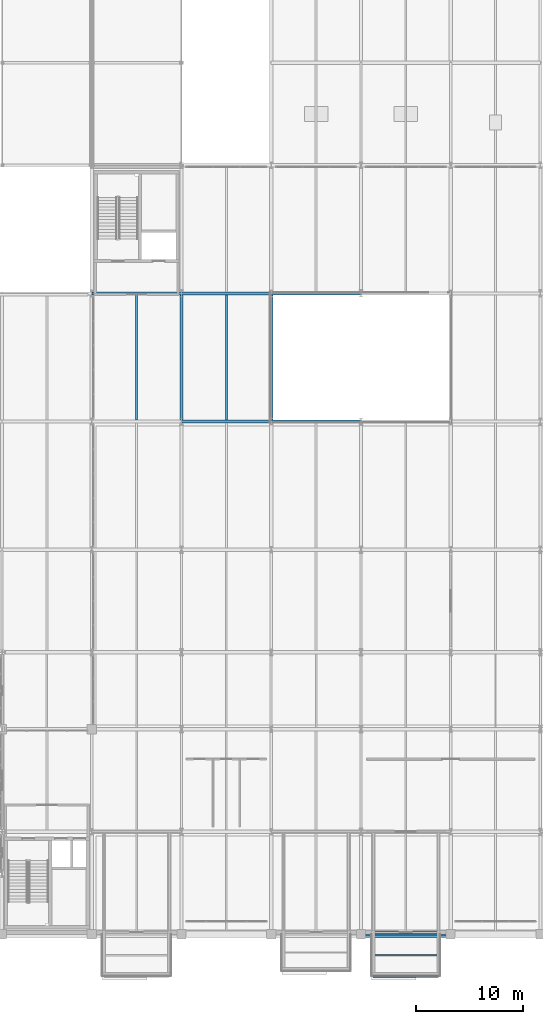
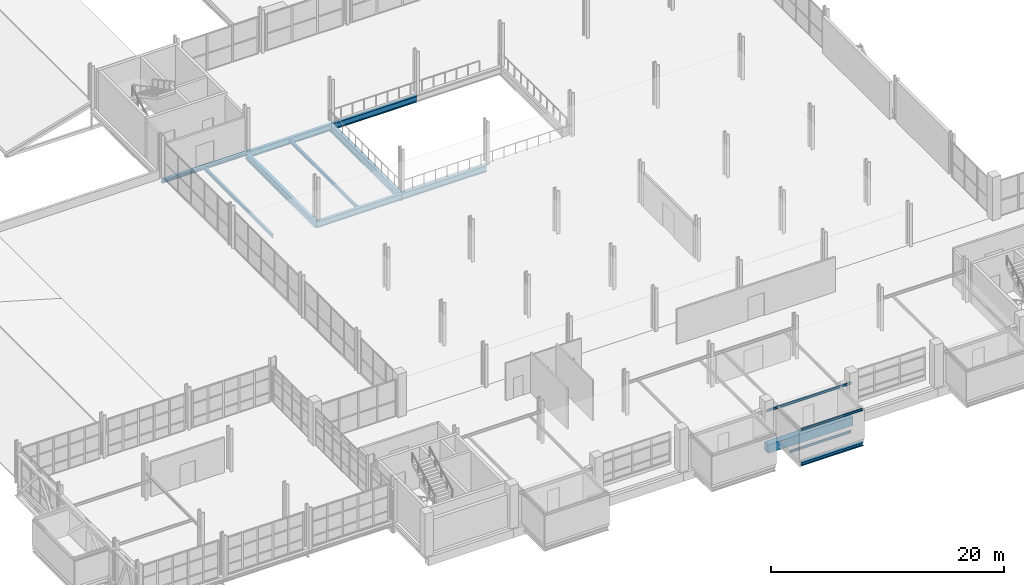
# One storey, part 44 of 130: 14 beams.
"""IFC4 building model written with IfcOpenShell, lengths in metres."""

from ifc_helpers import new_model, si_unit, direction, frame, origin, origin_2d, place, context, subcontext, project, spatial, rectangle, i_section, extrude, material, material_profile, profile_set, type_object, element, save


model = new_model("IFC4")

# Units and contexts
model_context = context("Model", 3, precision=1e-05, world=origin(), true_north=direction((0.0, 1.0)))
body_context = subcontext(model_context, "Body", "Model", "MODEL_VIEW")
ifc_project = project(units=[si_unit("LENGTHUNIT", "METRE"), si_unit("AREAUNIT", "SQUARE_METRE"), si_unit("VOLUMEUNIT", "CUBIC_METRE"), si_unit("PLANEANGLEUNIT", "RADIAN"), si_unit("MASSUNIT", "GRAM", prefix="KILO")], contexts=[model_context])

# Site, building, storey
site_placement = place(None, origin())
site = spatial("IfcSite", under=ifc_project, at=site_placement, CompositionType="ELEMENT")
building_placement = place(site_placement, origin())
building = spatial("IfcBuilding", under=site, at=building_placement, Name="Veltarok Museum of Natural Sciences", CompositionType="ELEMENT")
storey_placement = place(building_placement, frame((0.0, 0.0, 12.89990234375)))
storey = spatial("IfcBuildingStorey", under=building, at=storey_placement, Name="L02", CompositionType="ELEMENT", Elevation=12.89990234375)

# Beams
ifc_material_1 = material(Name="Steel S355J2", Category="steel")
ifc_material_profile_1 = material_profile(ifc_material_1, i_section(OverallWidth=0.300048828125, OverallDepth=0.800048828125, WebThickness=0.017578125, FlangeThickness=0.032958984375, FilletRadius=0.030029296875, at=origin_2d()), Name="HEB 800")
ifc_profile_set_1 = profile_set([ifc_material_profile_1], Name="Steel S355J2")
beam_type_1 = type_object("IfcBeamType", Name="Atrium Edge Transfer Girder HEB 800", PredefinedType="BEAM", material=ifc_profile_set_1)
beam_1_placement = place(storey_placement, frame((56.800048828125, 48.0, -0.64990234375), z_axis=(0.0, 1.0, 0.0), x_axis=(-1.0, 0.0, 0.0)))
element("IfcBeam", 1, at=beam_1_placement, inside=storey, type_object=beam_type_1, Name="Beam BM-G06 L02 7/F-G", PredefinedType="BEAM", context=body_context, shape_type="SweptSolid", body=[
    extrude(i_section(OverallWidth=0.300048828125, OverallDepth=0.800048828125, WebThickness=0.017578125, FlangeThickness=0.032958984375, FilletRadius=0.030029296875, at=origin_2d()), origin(), (0.0, 0.0, 1.0), 12.0),
])
ifc_material_profile_2 = material_profile(ifc_material_1, i_section(OverallWidth=0.1201171875, OverallDepth=0.239990234375, WebThickness=0.006103515625, FlangeThickness=0.009765625, FilletRadius=0.014892578125, at=origin_2d()), Name="IPE 240")
ifc_profile_set_2 = profile_set([ifc_material_profile_2], Name="Steel S355J2")
beam_type_2 = type_object("IfcBeamType", Name="Cabinet Box Secondary Joist IPE 240", PredefinedType="JOIST", material=ifc_profile_set_2)
beam_2_placement = place(storey_placement, frame((65.199951171875, 0.0, 3.130126953125), z_axis=(1.0, 0.0, 0.0), x_axis=(0.0, 1.0, 0.0)))
element("IfcBeam", 2, at=beam_2_placement, inside=storey, type_object=beam_type_2, Name="Cabinet Roof Tie Beam DB-09-P", PredefinedType="JOIST", context=body_context, shape_type="SweptSolid", body=[
    extrude(i_section(OverallWidth=0.1201171875, OverallDepth=0.239990234375, WebThickness=0.006103515625, FlangeThickness=0.009765625, FilletRadius=0.014892578125, at=origin_2d()), origin(), (0.0, 0.0, 1.0), 8.400146484375),
])
for number, where, z_axis, x_axis, name in (
    (3, (66.35009765625, -3.89990234375, 3.130126953125), (1.0, 0.0, 0.0), (0.0, 1.0, 0.0), "Cabinet Roof Tip Header DB-09"),
    (4, (66.35009765625, -1.949951171875, -0.369873046875), (1.0, 0.0, 0.0), (0.0, 1.0, 0.0), "Cabinet Box Joist DB-09"),
):
    element("IfcBeam", number, at=place(storey_placement, frame(where, z_axis=z_axis, x_axis=x_axis)), inside=storey, type_object=beam_type_2, Name=name, PredefinedType="JOIST", context=body_context, shape_type="SweptSolid", body=[
        extrude(i_section(OverallWidth=0.1201171875, OverallDepth=0.239990234375, WebThickness=0.006103515625, FlangeThickness=0.009765625, FilletRadius=0.014892578125, at=origin_2d()), origin(), (0.0, 0.0, 1.0), 6.099853515625),
    ])
ifc_material_profile_3 = material_profile(ifc_material_1, i_section(OverallWidth=0.300048828125, OverallDepth=0.35009765625, WebThickness=0.010009765625, FlangeThickness=0.017578125, FilletRadius=0.027099609375, at=origin_2d()), Name="HEA 360")
ifc_profile_set_3 = profile_set([ifc_material_profile_3], Name="Steel S355J2")
beam_type_3 = type_object("IfcBeamType", Name="Cabinet Box Tip Header HEA 360", PredefinedType="BEAM", material=ifc_profile_set_3)
beam_3_placement = place(storey_placement, frame((66.35009765625, -3.89990234375, -0.4248046875), z_axis=(1.0, 0.0, 0.0), x_axis=(0.0, 1.0, 0.0)))
element("IfcBeam", 5, at=beam_3_placement, inside=storey, type_object=beam_type_3, Name="Cabinet Tip Header DB-09", PredefinedType="BEAM", context=body_context, shape_type="SweptSolid", body=[
    extrude(i_section(OverallWidth=0.300048828125, OverallDepth=0.35009765625, WebThickness=0.010009765625, FlangeThickness=0.017578125, FilletRadius=0.027099609375, at=origin_2d()), origin(), (0.0, 0.0, 1.0), 6.099853515625),
])
ifc_material_2 = material(Name="Concrete C40/50", Category="concrete")
ifc_material_profile_4 = material_profile(ifc_material_2, rectangle(XDim=0.60009765625, YDim=0.89990234375, at=origin_2d()), Name="RC 600x900")
ifc_profile_set_4 = profile_set([ifc_material_profile_4], Name="Concrete C40/50")
beam_type_4 = type_object("IfcBeamType", Name="Exposed Cabinet Perimeter Spandrel RC 600x900", PredefinedType="SPANDREL", material=ifc_profile_set_4)
beam_4_placement = place(storey_placement, frame((65.199951171875, 0.0, -0.699951171875), z_axis=(1.0, 0.0, 0.0), x_axis=(0.0, 1.0, 0.0)))
element("IfcBeam", 6, at=beam_4_placement, inside=storey, type_object=beam_type_4, Name="Beam BM-SP01 L02 8-9/A", PredefinedType="SPANDREL", context=body_context, shape_type="SweptSolid", body=[
    extrude(rectangle(XDim=0.60009765625, YDim=0.89990234375, at=origin_2d()), origin(), (0.0, 0.0, 1.0), 8.400146484375),
])
ifc_material_profile_5 = material_profile(ifc_material_1, i_section(OverallWidth=0.300048828125, OverallDepth=0.639892578125, WebThickness=0.013427734375, FlangeThickness=0.02587890625, FilletRadius=0.027099609375, at=origin_2d()), Name="HEA 650")
ifc_profile_set_5 = profile_set([ifc_material_profile_5], Name="Steel S355J2")
beam_type_5 = type_object("IfcBeamType", Name="Heavy Exhibition Girder HEA 650", PredefinedType="BEAM", material=ifc_profile_set_5)
beam_5_placement = place(storey_placement, frame((48.39990234375, 48.0, -0.56982421875), z_axis=(1.0, 0.0, 0.0), x_axis=(0.0, 1.0, 0.0)))
element("IfcBeam", 7, at=beam_5_placement, inside=storey, type_object=beam_type_5, Name="Beam BM-G08 L02 6-7/F", PredefinedType="BEAM", context=body_context, shape_type="SweptSolid", body=[
    extrude(i_section(OverallWidth=0.300048828125, OverallDepth=0.639892578125, WebThickness=0.013427734375, FlangeThickness=0.02587890625, FilletRadius=0.027099609375, at=origin_2d()), origin(), (0.0, 0.0, 1.0), 8.400146484375),
])
beam_6_placement = place(storey_placement, frame((56.800048828125, 48.0, -0.56982421875), z_axis=(1.0, 0.0, 0.0), x_axis=(0.0, 1.0, 0.0)))
element("IfcBeam", 8, at=beam_6_placement, inside=storey, type_object=beam_type_5, Name="Beam BM-G08 L02 7-8/F", PredefinedType="BEAM", context=body_context, shape_type="SweptSolid", body=[
    extrude(i_section(OverallWidth=0.300048828125, OverallDepth=0.639892578125, WebThickness=0.013427734375, FlangeThickness=0.02587890625, FilletRadius=0.027099609375, at=origin_2d()), origin(), (0.0, 0.0, 1.0), 8.39990234375),
])
beam_7_placement = place(storey_placement, frame((48.39990234375, 60.0, -0.56982421875), z_axis=(1.0, 0.0, 0.0), x_axis=(0.0, 1.0, 0.0)))
element("IfcBeam", 9, at=beam_7_placement, inside=storey, type_object=beam_type_5, Name="Beam BM-G08 L02 6-7/G", PredefinedType="BEAM", context=body_context, shape_type="SweptSolid", body=[
    extrude(i_section(OverallWidth=0.300048828125, OverallDepth=0.639892578125, WebThickness=0.013427734375, FlangeThickness=0.02587890625, FilletRadius=0.027099609375, at=origin_2d()), origin(), (0.0, 0.0, 1.0), 8.400146484375),
])
beam_8_placement = place(storey_placement, frame((56.800048828125, 60.0, -0.56982421875), z_axis=(1.0, 0.0, 0.0), x_axis=(0.0, 1.0, 0.0)))
element("IfcBeam", 10, at=beam_8_placement, inside=storey, type_object=beam_type_5, Name="Beam BM-G08 L02 7-8/G", PredefinedType="BEAM", context=body_context, shape_type="SweptSolid", body=[
    extrude(i_section(OverallWidth=0.300048828125, OverallDepth=0.639892578125, WebThickness=0.013427734375, FlangeThickness=0.02587890625, FilletRadius=0.027099609375, at=origin_2d()), origin(), (0.0, 0.0, 1.0), 8.39990234375),
])
ifc_material_profile_6 = material_profile(ifc_material_1, i_section(OverallWidth=0.169921875, OverallDepth=0.360107421875, WebThickness=0.008056640625, FlangeThickness=0.0126953125, FilletRadius=0.01806640625, at=origin_2d()), Name="IPE 360")
ifc_profile_set_6 = profile_set([ifc_material_profile_6], Name="Steel S355J2")
beam_type_6 = type_object("IfcBeamType", Name="Long-Bay Composite Joist IPE 360", PredefinedType="JOIST", material=ifc_profile_set_6)
for number, where, z_axis, x_axis, name in (
    (11, (44.199951171875, 48.14794921875, -0.429931640625), (0.0, 1.0, 0.0), (-1.0, 0.0, 0.0), "Secondary Joist BM-J01 L02 5-6/F-G.1"),
    (12, (52.60009765625, 48.14794921875, -0.429931640625), (0.0, 1.0, 0.0), (-1.0, 0.0, 0.0), "Secondary Joist BM-J01 L02 6-7/F-G.1"),
):
    element("IfcBeam", number, at=place(storey_placement, frame(where, z_axis=z_axis, x_axis=x_axis)), inside=storey, type_object=beam_type_6, Name=name, PredefinedType="JOIST", context=body_context, shape_type="SweptSolid", body=[
        extrude(i_section(OverallWidth=0.169921875, OverallDepth=0.360107421875, WebThickness=0.008056640625, FlangeThickness=0.0126953125, FilletRadius=0.01806640625, at=origin_2d()), origin(), (0.0, 0.0, 1.0), 11.7041015625),
    ])
ifc_material_profile_7 = material_profile(ifc_material_1, i_section(OverallWidth=0.300048828125, OverallDepth=0.699951171875, WebThickness=0.01708984375, FlangeThickness=0.031982421875, FilletRadius=0.027099609375, at=origin_2d()), Name="HEB 700")
ifc_profile_set_7 = profile_set([ifc_material_profile_7], Name="Steel S355J2")
beam_type_7 = type_object("IfcBeamType", Name="Long-Span Hall Girder HEB 700", PredefinedType="BEAM", material=ifc_profile_set_7)
beam_9_placement = place(storey_placement, frame((48.39990234375, 48.0, -0.599853515625), z_axis=(0.0, 1.0, 0.0), x_axis=(-1.0, 0.0, 0.0)))
element("IfcBeam", 13, at=beam_9_placement, inside=storey, type_object=beam_type_7, Name="Beam BM-G01 L02 6/F-G", PredefinedType="BEAM", context=body_context, shape_type="SweptSolid", body=[
    extrude(i_section(OverallWidth=0.300048828125, OverallDepth=0.699951171875, WebThickness=0.01708984375, FlangeThickness=0.031982421875, FilletRadius=0.027099609375, at=origin_2d()), origin(), (0.0, 0.0, 1.0), 12.0),
])
ifc_material_profile_8 = material_profile(ifc_material_1, i_section(OverallWidth=0.300048828125, OverallDepth=0.330078125, WebThickness=0.009521484375, FlangeThickness=0.0166015625, FilletRadius=0.027099609375, at=origin_2d()), Name="HEA 340")
ifc_profile_set_8 = profile_set([ifc_material_profile_8], Name="Steel S355J2")
beam_type_8 = type_object("IfcBeamType", Name="Perimeter Upper Spandrel HEA 340", PredefinedType="SPANDREL", material=ifc_profile_set_8)
beam_10_placement = place(storey_placement, frame((40.0, 60.0, -0.414794921875), z_axis=(1.0, 0.0, 0.0), x_axis=(0.0, 1.0, 0.0)))
element("IfcBeam", 14, at=beam_10_placement, inside=storey, type_object=beam_type_8, Name="Beam BM-SP05 L02 5-6/G", PredefinedType="SPANDREL", context=body_context, shape_type="SweptSolid", body=[
    extrude(i_section(OverallWidth=0.300048828125, OverallDepth=0.330078125, WebThickness=0.009521484375, FlangeThickness=0.0166015625, FilletRadius=0.027099609375, at=origin_2d()), origin(), (0.0, 0.0, 1.0), 8.39990234375),
])

save(model, "model.ifc")
